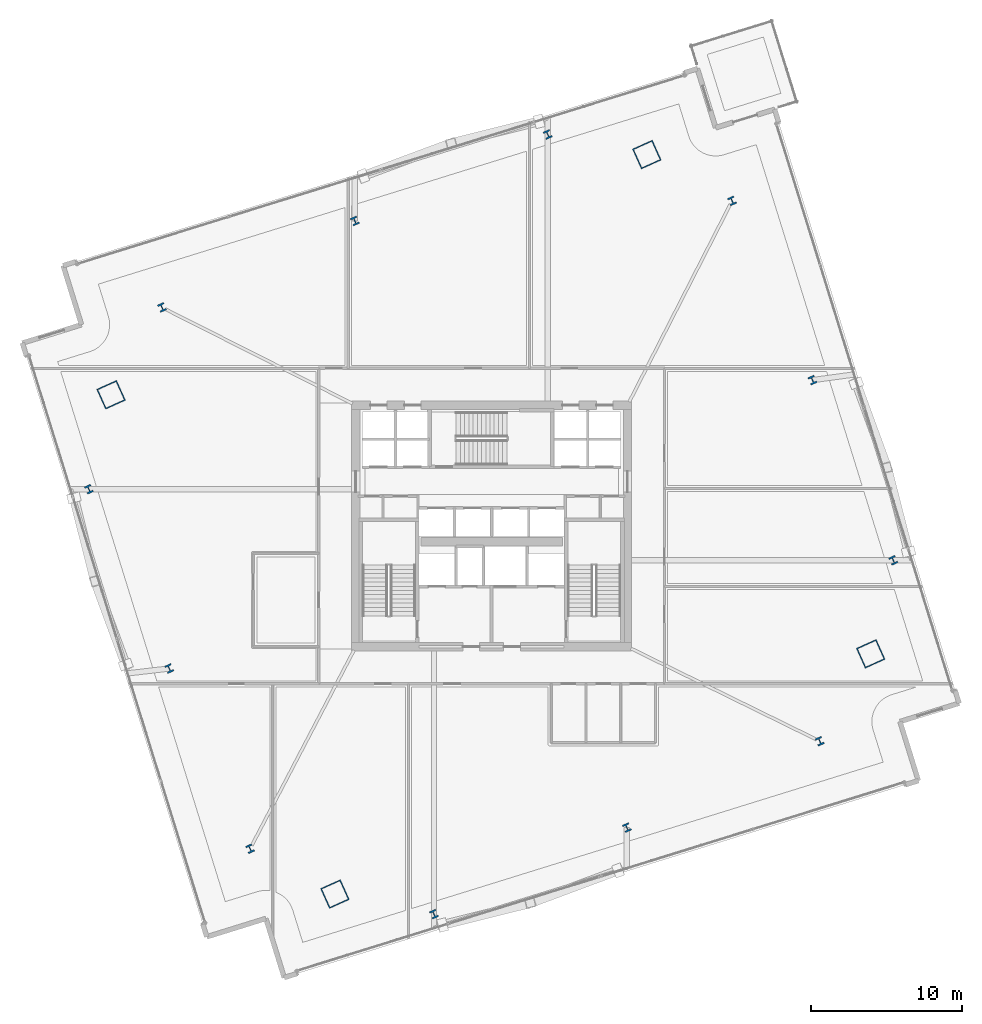
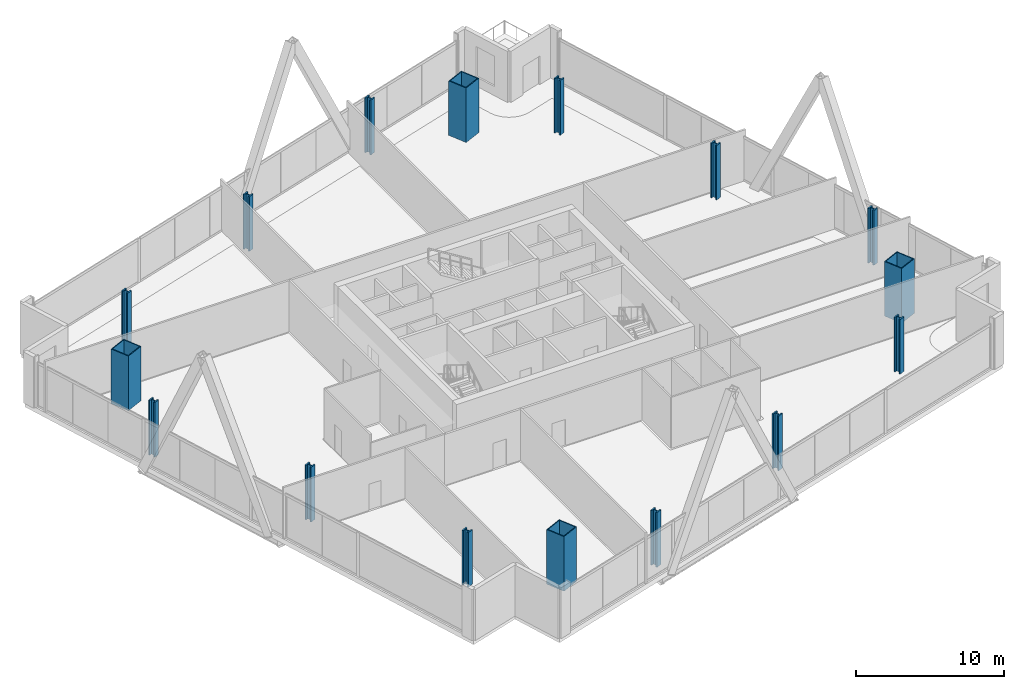
# One storey, part 1 of 26: 16 columns.
"""IFC4 building model written with IfcOpenShell, lengths in metres."""

import ifcopenshell
import ifcopenshell.guid

model = None  # the IFC model being written
_history = None  # IfcOwnerHistory: only IFC2X3 demands one
_inside = {}  # id of a spatial element -> (the spatial element, [elements in it])
_under = {}  # id of a project, library or spatial element -> (it, [spatial elements below it])
_declared = {}  # id of a project -> (the project, [libraries it declares])
_typed = {}  # id of a type object -> (the type object, [elements of that type])
_made_of = {}  # id of a material, layer set ... -> (it, [elements and type objects made of it])


def new_model(schema):
    """Start an empty IFC model of exactly this schema.

    Asked for "IFC4X3", IfcOpenShell would pick the latest addendum, in which some entities
    have other attributes; the version numbers below select the first issue.
    IFC2X3 requires an IfcOwnerHistory on every rooted entity: one is made here for all.
    """
    global model, _history
    if schema == "IFC4X3":
        model = ifcopenshell.file(schema_version=(4, 3, 0, 0))
    else:
        model = ifcopenshell.file(schema=schema)
    _inside.clear()
    _under.clear()
    _declared.clear()
    _typed.clear()
    _made_of.clear()
    _history = None
    if model.schema == "IFC2X3":
        org = make("IfcOrganization", Name="unknown")
        user = make(
            "IfcPersonAndOrganization",
            ThePerson=make("IfcPerson", FamilyName="unknown"),
            TheOrganization=org,
        )
        app = make(
            "IfcApplication",
            ApplicationDeveloper=org,
            Version="unknown",
            ApplicationFullName="unknown",
            ApplicationIdentifier="unknown",
        )
        _history = make(
            "IfcOwnerHistory",
            OwningUser=user,
            OwningApplication=app,
            ChangeAction="ADDED",
            CreationDate=0,
        )
    return model


def make(cls, **values):
    """One entity of the class cls with the attributes given. An attribute that is None is left unset."""
    return model.create_entity(
        cls, **{name: value for name, value in values.items() if value is not None}
    )


def rooted(cls, **values):
    """An entity with a GlobalId (a new one), such as an element, a storey or a relation."""
    return make(cls, GlobalId=ifcopenshell.guid.new(), OwnerHistory=_history, **values)


def si_unit(unit_type, name, prefix=None):
    """IfcSIUnit, for example si_unit("LENGTHUNIT", "METRE", prefix="MILLI")."""
    return make("IfcSIUnit", UnitType=unit_type, Prefix=prefix, Name=name)


def assignment(units):
    """IfcUnitAssignment: the units of a project."""
    return None if units is None else make("IfcUnitAssignment", Units=units)


def point(xyz):
    """IfcCartesianPoint."""
    return None if xyz is None else make("IfcCartesianPoint", Coordinates=xyz)


def direction(xyz):
    """IfcDirection."""
    return None if xyz is None else make("IfcDirection", DirectionRatios=xyz)


def frame(location, z_axis=None, x_axis=None):
    """IfcAxis2Placement3D, a coordinate frame: its origin and axes. An axis left out is left unset."""
    return make(
        "IfcAxis2Placement3D",
        Location=point(location),
        Axis=direction(z_axis),
        RefDirection=direction(x_axis),
    )


def frame_2d(location, x_axis=None):
    """IfcAxis2Placement2D, a coordinate frame in the plane: its origin and x axis."""
    return make(
        "IfcAxis2Placement2D", Location=point(location), RefDirection=direction(x_axis)
    )


def origin():
    """The frame at (0, 0, 0) with its axes left unset."""
    return frame((0.0, 0.0, 0.0))


def origin_2d():
    """The frame at (0, 0) in the plane with its x axis left unset."""
    return frame_2d((0.0, 0.0))


def place(relative_to, where):
    """IfcLocalPlacement: puts the frame where relative to a parent placement (None: the world)."""
    return make(
        "IfcLocalPlacement", PlacementRelTo=relative_to, RelativePlacement=where
    )


def context(
    kind, dimensions, precision=None, world=None, true_north=None, identifier=None
):
    """IfcGeometricRepresentationContext, for example the 3D "Model" context."""
    return make(
        "IfcGeometricRepresentationContext",
        ContextIdentifier=identifier,
        ContextType=kind,
        CoordinateSpaceDimension=dimensions,
        Precision=precision,
        WorldCoordinateSystem=world,
        TrueNorth=true_north,
    )


def subcontext(parent, identifier, kind, view, scale=None):
    """IfcGeometricRepresentationSubContext, for example "Body" below "Model"."""
    return make(
        "IfcGeometricRepresentationSubContext",
        ContextIdentifier=identifier,
        ContextType=kind,
        ParentContext=parent,
        TargetScale=scale,
        TargetView=view,
    )


def project(units=None, contexts=None):
    """IfcProject with its units and contexts."""
    return rooted(
        "IfcProject",
        Name="project",
        RepresentationContexts=contexts,
        UnitsInContext=assignment(units),
    )


def spatial(cls, under=None, at=None, **own):
    """A site, building, storey or space (cls), placed at a placement, below another one or the project."""
    s = rooted(cls, ObjectPlacement=at, **own)
    if under is not None:
        _under.setdefault(under.id(), (under, []))[1].append(s)
    return s


def profile(cls, at=None, kind="AREA", **sizes):
    """A parametric profile (cls). Its sizes go by their IFC names, for example OverallWidth=200.0."""
    return make(cls, ProfileType=kind, Position=at, **sizes)


def hollow_rectangle(**sizes):
    """IfcRectangleHollowProfileDef."""
    return profile("IfcRectangleHollowProfileDef", **sizes)


def i_section(**sizes):
    """IfcIShapeProfileDef."""
    return profile("IfcIShapeProfileDef", **sizes)


def extrude(swept, where, along, depth):
    """IfcExtrudedAreaSolid: the profile swept, set in the frame where, extruded along a direction by depth."""
    return make(
        "IfcExtrudedAreaSolid",
        SweptArea=swept,
        Position=where,
        ExtrudedDirection=direction(along),
        Depth=depth,
    )


def shape(context_of_items, identifier, shape_type, items):
    """IfcShapeRepresentation: the items that make up one representation, for example the "Body"."""
    return make(
        "IfcShapeRepresentation",
        ContextOfItems=context_of_items,
        RepresentationIdentifier=identifier,
        RepresentationType=shape_type,
        Items=items,
    )


def material(Name=None, Category=None):
    """IfcMaterial."""
    return make("IfcMaterial", Name=Name, Category=Category)


def material_profile(
    of_material, cross_section, Name=None, Category=None, Priority=None
):
    """IfcMaterialProfile: a cross section and its material."""
    return make(
        "IfcMaterialProfile",
        Name=Name,
        Material=of_material,
        Profile=cross_section,
        Priority=Priority,
        Category=Category,
    )


def profile_set(profiles, Name=None, composite=None):
    """IfcMaterialProfileSet."""
    return make(
        "IfcMaterialProfileSet",
        Name=Name,
        MaterialProfiles=profiles,
        CompositeProfile=composite,
    )


def made_of(thing, what):
    """Note that an element or type object is made of a material, layer set ...; save() writes the relation."""
    if what is not None:
        _made_of.setdefault(what.id(), (what, []))[1].append(thing)
    return thing


def type_object(cls, material=None, **own):
    """A type object (cls), such as IfcWallType, which elements share."""
    return made_of(rooted(cls, **own), material)


def element(
    cls,
    number,
    at=None,
    inside=None,
    cuts=None,
    type_object=None,
    material=None,
    context=None,
    identifier="Body",
    shape_type=None,
    held_by="IfcProductDefinitionShape",
    body=None,
    shapes=None,
    **own,
):
    """One element of the class cls, such as IfcWall. Its Tag is "e" and its number.

    at: its placement. inside: the storey or other place that contains it. cuts: it is an
    opening in that element (IfcRelVoidsElement). A single representation is given by context,
    identifier, shape_type and body (its items); several are given by shapes. held_by: the class
    of the entity that holds the representations. save() writes the other relations.
    """
    e = rooted(cls, Tag="e%d" % number, ObjectPlacement=at, **own)
    if body is not None:
        shapes = [shape(context, identifier, shape_type, body)]
    if shapes is not None:
        e.Representation = make(held_by, Representations=shapes)
    if inside is not None:
        _inside.setdefault(inside.id(), (inside, []))[1].append(e)
    if cuts is not None:
        rooted(
            "IfcRelVoidsElement", RelatingBuildingElement=cuts, RelatedOpeningElement=e
        )
    if type_object is not None:
        _typed.setdefault(type_object.id(), (type_object, []))[1].append(e)
    return made_of(e, material)


def aggregate(whole, parts):
    """IfcRelAggregates: a whole, such as a stair, and the parts it consists of."""
    return rooted("IfcRelAggregates", RelatingObject=whole, RelatedObjects=parts)


def save(model, path):
    """Write the relations noted so far, then the file.

    IfcRelAggregates (storeys below a building ...), IfcRelContainedInSpatialStructure (elements
    in a storey), IfcRelDefinesByType, IfcRelAssociatesMaterial and IfcRelDeclares: one each for
    every whole, place, type object, material and project.
    """
    for whole, parts in _under.values():
        aggregate(whole, parts)
    for where, things in _inside.values():
        rooted(
            "IfcRelContainedInSpatialStructure",
            RelatedElements=things,
            RelatingStructure=where,
        )
    for kind, things in _typed.values():
        rooted("IfcRelDefinesByType", RelatedObjects=things, RelatingType=kind)
    for what, things in _made_of.values():
        rooted("IfcRelAssociatesMaterial", RelatedObjects=things, RelatingMaterial=what)
    for by, libraries in _declared.values():
        rooted("IfcRelDeclares", RelatingContext=by, RelatedDefinitions=libraries)
    model.write(path)


model = new_model("IFC4")

# Units and contexts
model_context = context("Model", 3, precision=1e-05, world=origin(), true_north=direction((0.0, 1.0)))
body_context = subcontext(model_context, "Body", "Model", "MODEL_VIEW")
ifc_project = project(units=[si_unit("LENGTHUNIT", "METRE"), si_unit("AREAUNIT", "SQUARE_METRE"), si_unit("VOLUMEUNIT", "CUBIC_METRE"), si_unit("PLANEANGLEUNIT", "RADIAN"), si_unit("MASSUNIT", "GRAM", prefix="KILO")], contexts=[model_context])

# Site, building, storey
site_placement = place(None, origin())
site = spatial("IfcSite", under=ifc_project, at=site_placement, CompositionType="ELEMENT")
building_placement = place(site_placement, origin())
building = spatial("IfcBuilding", under=site, at=building_placement, Name="Haldenkirk Collegiate Tower", CompositionType="ELEMENT")
storey_placement = place(building_placement, frame((0.0, 0.0, 85.949951171875)))
storey = spatial("IfcBuildingStorey", under=building, at=storey_placement, Name="L20", CompositionType="ELEMENT", Elevation=85.949951171875)

# Columns
ifc_material_1 = material(Name="Steel ASTM A913 Grade 65", Category="steel")
ifc_material_profile_1 = material_profile(ifc_material_1, i_section(OverallWidth=0.44189453125, OverallDepth=0.531005859375, WebThickness=0.06591796875, FlangeThickness=0.105712890625, at=origin_2d()), Name="W14X605")
ifc_profile_set_1 = profile_set([ifc_material_profile_1], Name="Steel ASTM A913 Grade 65")
column_type_1 = type_object("IfcColumnType", Name="COL-INT-W14X605", PredefinedType="COLUMN", material=ifc_profile_set_1)
for number, where, z_axis, x_axis, name in (
    (1, (32.181396484375, 0.287353515625, 0.0), (0.0, 0.0, 1.0), (0.912477494148, 0.409126902895, 0.0), "L20 perimeter gravity column PC-S1"),
    (2, (44.9599609375, 6.0166015625, 0.0), (0.0, 0.0, 1.0), (0.912477494148, 0.409126902895, 0.0), "L20 perimeter gravity column PC-S2"),
    (3, (57.73828125, 11.74609375, 0.0), (0.0, 0.0, 1.0), (0.912477494148, 0.409126902895, 0.0), "L20 perimeter gravity column PC-S3"),
    (4, (62.608642578125, 23.727294921875, 0.0), (0.0, 0.0, 1.0), (0.912477494148, 0.409126902895, 0.0), "L20 perimeter gravity column PC-E1"),
    (5, (57.255126953125, 35.667236328125, 0.0), (0.0, 0.0, 1.0), (0.912477494148, 0.409126902895, 0.0), "L20 perimeter gravity column PC-E2"),
    (6, (51.930419921875, 47.543212890625, 0.0), (0.0, 0.0, 1.0), (0.912477494148, 0.409126902895, 0.0), "L20 perimeter gravity column PC-E3"),
    (7, (39.71630859375, 51.94091796875, 0.0), (0.0, 0.0, 1.0), (0.912477494148, 0.409126902895, 0.0), "L20 perimeter gravity column PC-N1"),
    (8, (26.937744140625, 46.21142578125, 0.0), (0.0, 0.0, 1.0), (0.912477494148, 0.409126902895, 0.0), "L20 perimeter gravity column PC-N2"),
    (9, (14.159423828125, 40.48193359375, 0.0), (0.0, 0.0, 1.0), (0.912477494148, 0.409126902895, 0.0), "L20 perimeter gravity column PC-N3"),
    (10, (9.317626953125, 28.436767578125, 0.0), (0.0, 0.0, 1.0), (0.912477494148, 0.409126902895, 0.0), "L20 perimeter gravity column PC-W1"),
    (11, (14.642578125, 16.560791015625, 0.0), (0.0, 0.0, 1.0), (0.912477494148, 0.409126902895, 0.0), "L20 perimeter gravity column PC-W2"),
    (12, (19.995849609375, 4.62109375, 0.0), (0.0, 0.0, 1.0), (0.912477494148, 0.409126902895, 0.0), "L20 perimeter gravity column PC-W3"),
):
    element("IfcColumn", number, at=place(storey_placement, frame(where, z_axis=z_axis, x_axis=x_axis)), inside=storey, type_object=column_type_1, Name=name, PredefinedType="COLUMN", context=body_context, shape_type="SweptSolid", body=[
        extrude(i_section(OverallWidth=0.44189453125, OverallDepth=0.531005859375, WebThickness=0.06591796875, FlangeThickness=0.105712890625, at=origin_2d()), origin(), (0.0, 0.0, 1.0), 4.5),
    ])
ifc_material_2 = material(Name="Steel ASTM A572 Grade 50", Category="steel")
ifc_material_profile_2 = material_profile(ifc_material_2, hollow_rectangle(XDim=1.449951171875, YDim=1.449951171875, WallThickness=0.070068359375, at=origin_2d()), Name="BOX1450X1450X70")
ifc_profile_set_2 = profile_set([ifc_material_profile_2], Name="Steel ASTM A572 Grade 50")
column_type_2 = type_object("IfcColumnType", Name="COL-MEGA-BOX1450X1450X70", PredefinedType="COLUMN", material=ifc_profile_set_2)
for number, where, z_axis, x_axis, name in (
    (13, (25.61669921875, 1.617919921875, 0.0), (0.0, 0.0, 1.0), (0.912477494148, 0.409126902895, 0.0), "L20 corner mega-column MC1"),
    (14, (61.112060546875, 17.532958984375, 0.0), (0.0, 0.0, 1.0), (0.912477494148, 0.409126902895, 0.0), "L20 corner mega-column MC2"),
    (15, (46.281005859375, 50.610107421875, 0.0), (0.0, 0.0, 1.0), (0.912477494148, 0.409126902895, 0.0), "L20 corner mega-column MC3"),
    (16, (10.78564453125, 34.6953125, 0.0), (0.0, 0.0, 1.0), (0.912477494148, 0.409126902895, 0.0), "L20 corner mega-column MC4"),
):
    element("IfcColumn", number, at=place(storey_placement, frame(where, z_axis=z_axis, x_axis=x_axis)), inside=storey, type_object=column_type_2, Name=name, PredefinedType="COLUMN", context=body_context, shape_type="SweptSolid", body=[
        extrude(hollow_rectangle(XDim=1.449951171875, YDim=1.449951171875, WallThickness=0.070068359375, at=origin_2d()), origin(), (0.0, 0.0, 1.0), 4.5),
    ])

save(model, "model.ifc")
